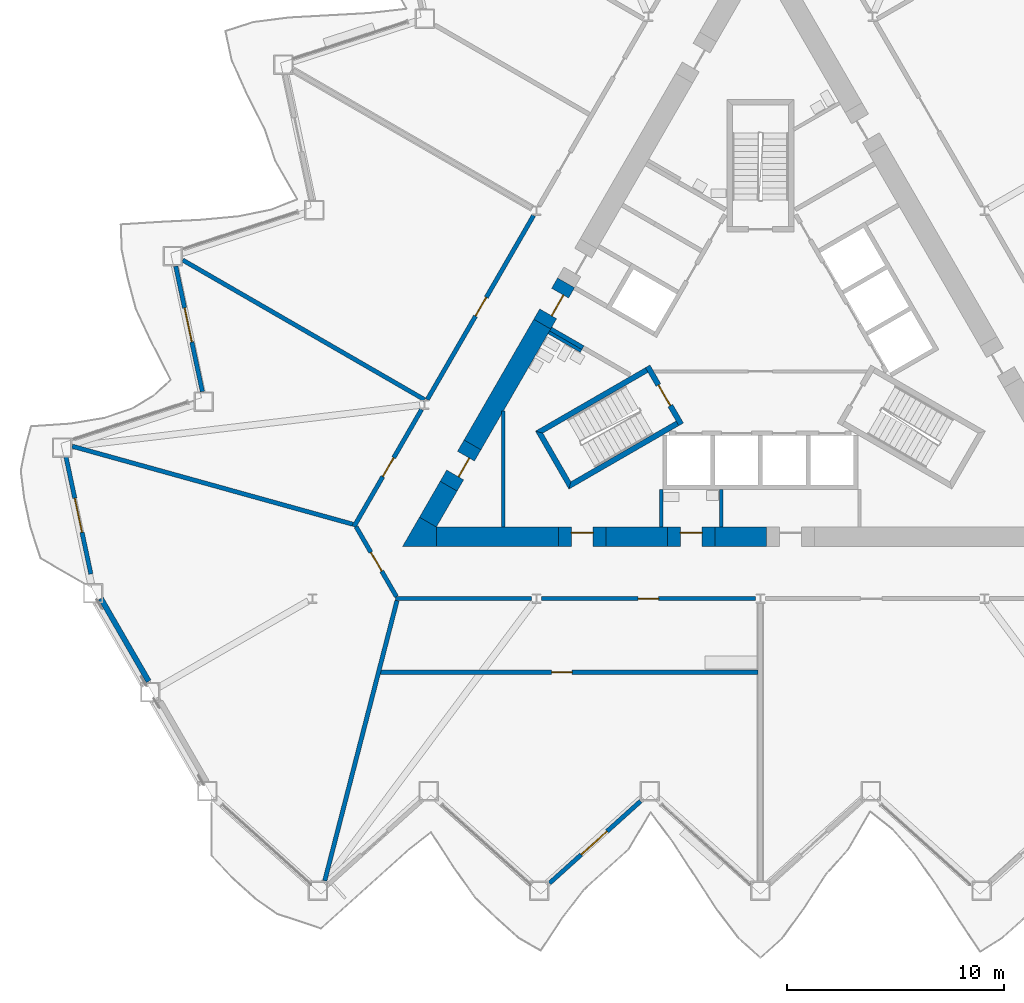
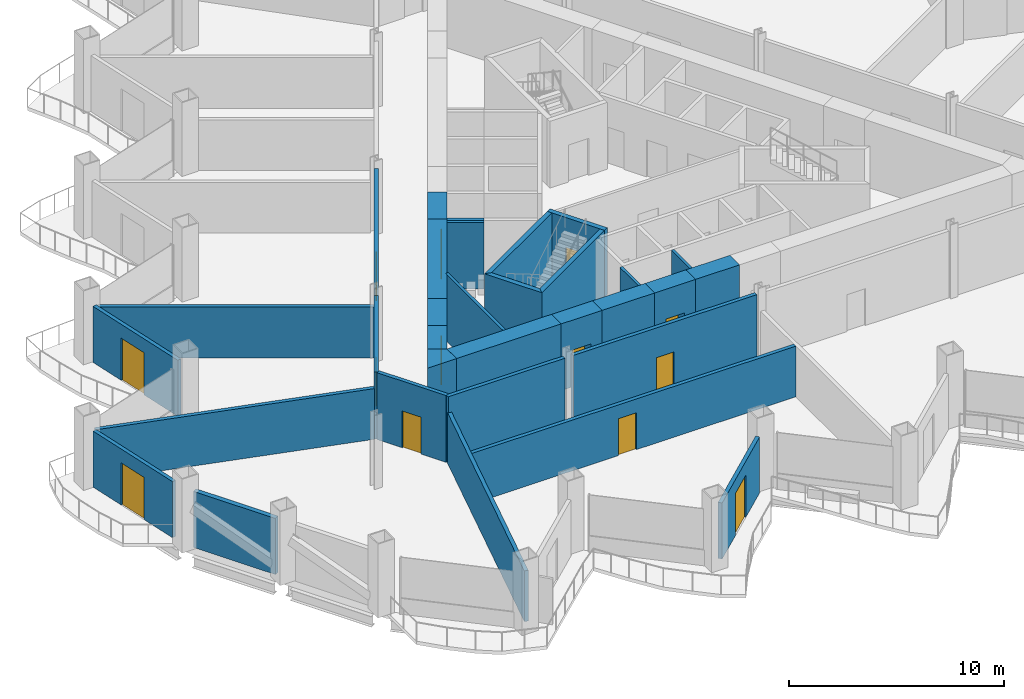
# One storey, part 10 of 21: 32 walls, 13 doors, 13 openings.
"""IFC4 building model written with IfcOpenShell, lengths in metres."""

from ifc_helpers import new_model, si_unit, direction, frame, frame_2d, origin, place, context, subcontext, project, spatial, polyline, rectangle, outline, extrude, material, layer, layer_set, type_object, element, fill, save


model = new_model("IFC4")

# Units and contexts
model_context = context("Model", 3, precision=1e-05, world=origin(), true_north=direction((0.0, 1.0)))
body_context = subcontext(model_context, "Body", "Model", "MODEL_VIEW")
ifc_project = project(units=[si_unit("LENGTHUNIT", "METRE"), si_unit("AREAUNIT", "SQUARE_METRE"), si_unit("VOLUMEUNIT", "CUBIC_METRE"), si_unit("PLANEANGLEUNIT", "RADIAN"), si_unit("MASSUNIT", "GRAM", prefix="KILO")], contexts=[model_context])

# Site, building, storey
site_placement = place(None, origin())
site = spatial("IfcSite", under=ifc_project, at=site_placement, CompositionType="ELEMENT")
building_placement = place(site_placement, origin())
building = spatial("IfcBuilding", under=site, at=building_placement, Name="Cormorant Prow Tower", CompositionType="ELEMENT")
storey_placement = place(building_placement, frame((0.0, 0.0, 141.60009765625)))
storey = spatial("IfcBuildingStorey", under=building, at=storey_placement, Name="L30", CompositionType="ELEMENT", Elevation=141.60009765625)

# Walls
ifc_material_1 = material(Name="Gypsum board partition")
ifc_layer_1 = layer(ifc_material_1, 0.14990234375)
ifc_layer_set_1 = layer_set([ifc_layer_1], Name="Gypsum board partition")
wall_type_1 = type_object("IfcWallType", Name="Core partition 150", PredefinedType="PARTITIONING", material=ifc_layer_set_1)
for number, where, z_axis, x_axis, name in (
    (1, (-8.268310546875, -0.509033203125, 0.0), (0.0, 0.0, 1.0), (-0.866024871741, 0.500000921525, 0.0), "Service room partition"),
    (2, (-4.574951171875, -6.906005859375, 0.0), (0.0, 0.0, 1.0), (0.0, -1.0, 0.0), "Service room partition"),
):
    element("IfcWall", number, at=place(storey_placement, frame(where, z_axis=z_axis, x_axis=x_axis)), inside=storey, type_object=wall_type_1, Name=name, PredefinedType="PARTITIONING", context=body_context, shape_type="SweptSolid", body=[
        extrude(rectangle(XDim=1.72021484375, YDim=0.14990234375, at=frame_2d((0.860107421875, 0.0))), origin(), (0.0, 0.0, 1.0), 3.7998046875),
    ])
wall_1_placement = place(storey_placement, frame((-11.853759765625, -8.626220703125, 0.0), z_axis=(0.0, 0.0, 1.0), x_axis=(0.0, 1.0, 0.0)))
element("IfcWall", 3, at=wall_1_placement, inside=storey, type_object=wall_type_1, Name="Service room partition", PredefinedType="PARTITIONING", context=body_context, shape_type="SweptSolid", body=[
    extrude(rectangle(XDim=5.347412109375, YDim=0.14990234375, at=frame_2d((2.673828125, 0.0))), origin(), (0.0, 0.0, 1.0), 3.7998046875),
])
wall_2_placement = place(storey_placement, frame((-1.800048828125, -8.626220703125, 0.0), z_axis=(0.0, 0.0, 1.0), x_axis=(0.0, 1.0, 0.0)))
element("IfcWall", 4, at=wall_2_placement, inside=storey, type_object=wall_type_1, Name="Service room partition", PredefinedType="PARTITIONING", context=body_context, shape_type="SweptSolid", body=[
    extrude(rectangle(XDim=1.72021484375, YDim=0.14990234375, at=frame_2d((0.860107421875, 0.0))), origin(), (0.0, 0.0, 1.0), 3.7998046875),
])
ifc_material_2 = material(Name="Concrete 8000 psi", Category="concrete")
ifc_layer_2 = layer(ifc_material_2, 0.89990234375)
ifc_layer_set_2 = layer_set([ifc_layer_2], Name="Concrete 8000 psi")
wall_type_2 = type_object("IfcWallType", Name="Core shear wall 900", PredefinedType="SHEAR", material=ifc_layer_set_2)
wall_3_placement = place(storey_placement, frame((-14.941162109375, -9.076416015625, 0.0), z_axis=(0.0, 0.0, 1.0), x_axis=(1.0, 0.0, 0.0)))
element("IfcWall", 5, at=wall_3_placement, inside=storey, type_object=wall_type_2, Name="Core wall", PredefinedType="SHEAR", context=body_context, shape_type="SweptSolid", body=[
    extrude(rectangle(XDim=5.626708984375, YDim=0.89990234375, at=frame_2d((2.8134765625, 0.0))), origin(), (0.0, 0.0, 1.0), 3.7998046875),
])
wall_4_placement = place(storey_placement, frame((-7.114501953125, -9.076416015625, 0.0), z_axis=(0.0, 0.0, 1.0), x_axis=(1.0, 0.0, 0.0)))
element("IfcWall", 6, at=wall_4_placement, inside=storey, type_object=wall_type_2, Name="Core wall", PredefinedType="SHEAR", context=body_context, shape_type="SweptSolid", body=[
    extrude(rectangle(XDim=2.826904296875, YDim=0.89990234375, at=frame_2d((1.41357421875, 0.0))), origin(), (0.0, 0.0, 1.0), 3.7998046875),
])
wall_5_placement = place(storey_placement, frame((-2.08740234375, -9.076416015625, 0.0), z_axis=(0.0, 0.0, 1.0), x_axis=(1.0, 0.0, 0.0)))
element("IfcWall", 7, at=wall_5_placement, inside=storey, type_object=wall_type_2, Name="Core wall", PredefinedType="SHEAR", context=body_context, shape_type="SweptSolid", body=[
    extrude(rectangle(XDim=2.375, YDim=0.89990234375, at=frame_2d((1.1875, 0.0))), origin(), (0.0, 0.0, 1.0), 3.7998046875),
])
wall_6_placement = place(storey_placement, frame((-10.060302734375, 0.7275390625, 0.0), z_axis=(0.0, 0.0, 1.0), x_axis=(-0.500002975332, -0.866023685969, 0.0)))
element("IfcWall", 8, at=wall_6_placement, inside=storey, type_object=wall_type_2, Name="Core wall", PredefinedType="SHEAR", context=body_context, shape_type="SweptSolid", body=[
    extrude(rectangle(XDim=6.4287109375, YDim=0.89990234375, at=frame_2d((3.21435546875, 0.0))), origin(), (0.0, 0.0, 1.0), 3.7998046875),
])
wall_7_placement = place(storey_placement, frame((-14.374755859375, -6.7451171875, 0.0), z_axis=(0.0, 0.0, 1.0), x_axis=(-0.499928740635, -0.866066541489, 0.0)))
element("IfcWall", 9, at=wall_7_placement, inside=storey, type_object=wall_type_2, Name="Core wall", PredefinedType="SHEAR", context=body_context, shape_type="SweptSolid", body=[
    extrude(rectangle(XDim=1.912353515625, YDim=0.89990234375, at=frame_2d((0.9560546875, 0.0))), origin(), (0.0, 0.0, 1.0), 3.7998046875),
])
wall_8_placement = place(storey_placement, origin())
element("IfcWall", 10, at=wall_8_placement, inside=storey, type_object=wall_type_2, Name="Core wall corner", PredefinedType="SHEAR", context=body_context, shape_type="SweptSolid", body=[
    extrude(outline(polyline([(-14.941162109375, -8.626220703125), (-14.941162109375, -9.5263671875), (-16.5, -9.5263671875), (-15.720703125, -8.17626953125), (-14.941162109375, -8.626220703125)])), origin(), (0.0, 0.0, 1.0), 3.7998046875),
])

# Wall, opening, door
wall_9_placement = place(storey_placement, frame((-4.28759765625, -9.076416015625, 0.0), z_axis=(0.0, 0.0, 1.0), x_axis=(1.0, 0.0, 0.0)))
wall_9 = element("IfcWall", 11, at=wall_9_placement, inside=storey, type_object=wall_type_2, Name="Core wall door panel", PredefinedType="SHEAR", context=body_context, shape_type="SweptSolid", body=[
    extrude(rectangle(XDim=2.2001953125, YDim=0.89990234375, at=frame_2d((1.10009765625, 0.0))), origin(), (0.0, 0.0, 1.0), 3.7998046875),
])
opening_1_placement = place(wall_9_placement, frame((0.60009765625, 0.0, 0.0)))
opening_1 = element("IfcOpeningElement", 12, at=opening_1_placement, cuts=wall_9, Name="Opening L30-C15", PredefinedType="OPENING", context=body_context, shape_type="SweptSolid", body=[
    extrude(rectangle(XDim=1.0, YDim=2.10009765625, at=frame_2d((0.5, 1.050048828125))), frame((0.0, 0.4599609375, 0.0), z_axis=(0.0, -1.0, 0.0), x_axis=(1.0, 0.0, 0.0)), (0.0, 0.0, 1.0), 0.919921875),
])
ifc_material_3 = material(Name="Painted steel", Category="steel")
door_type_1 = type_object("IfcDoorType", Name="Service door 1000x2100", OperationType="NOTDEFINED", PredefinedType="DOOR", material=ifc_material_3)
door_1_placement = place(opening_1_placement, origin())
door_1 = element("IfcDoor", 13, at=door_1_placement, inside=storey, type_object=door_type_1, Name="Core door, Accessible WC L30", OperationType="SINGLE_SWING_RIGHT", OverallHeight=2.10009765625, OverallWidth=1.0, PredefinedType="DOOR", context=body_context, shape_type="SweptSolid", body=[
    extrude(rectangle(XDim=1.0, YDim=2.10009765625, at=frame_2d((0.5, 1.050048828125))), frame((0.0, 0.205078125, 0.0), z_axis=(0.0, -1.0, 0.0), x_axis=(1.0, 0.0, 0.0)), (0.0, 0.0, 1.0), 0.050048828125),
])
fill(opening_1, door_1)

wall_10_placement = place(storey_placement, frame((-13.274658203125, -4.83984375, 0.0), z_axis=(0.0, 0.0, 1.0), x_axis=(-0.50002983664, -0.866008176907, 0.0)))
wall_10 = element("IfcWall", 14, at=wall_10_placement, inside=storey, type_object=wall_type_2, Name="Core wall door panel", PredefinedType="SHEAR", context=body_context, shape_type="SweptSolid", body=[
    extrude(rectangle(XDim=2.199951171875, YDim=0.89990234375, at=frame_2d((1.10009765625, 0.0))), origin(), (0.0, 0.0, 1.0), 3.7998046875),
])
opening_2_placement = place(wall_10_placement, frame((0.60009765625, 0.0, 0.0)))
opening_2 = element("IfcOpeningElement", 15, at=opening_2_placement, cuts=wall_10, Name="Opening L30-C17", PredefinedType="OPENING", context=body_context, shape_type="SweptSolid", body=[
    extrude(rectangle(XDim=1.0, YDim=2.10009765625, at=frame_2d((0.5, 1.050048828125))), frame((0.0, 0.4599609375, 0.0), z_axis=(0.0, -1.0, 0.0), x_axis=(1.0, 0.0, 0.0)), (0.0, 0.0, 1.0), 0.919921875),
])
door_2_placement = place(opening_2_placement, origin())
door_2 = element("IfcDoor", 16, at=door_2_placement, inside=storey, type_object=door_type_1, Name="Core door, Electrical room", OperationType="SINGLE_SWING_RIGHT", OverallHeight=2.10009765625, OverallWidth=1.0, PredefinedType="DOOR", context=body_context, shape_type="SweptSolid", body=[
    extrude(rectangle(XDim=1.0, YDim=2.10009765625, at=frame_2d((0.5, 1.050048828125))), frame((0.0, 0.205078125, 0.0), z_axis=(0.0, -1.0, 0.0), x_axis=(1.0, 0.0, 0.0)), (0.0, 0.0, 1.0), 0.050048828125),
])
fill(opening_2, door_2)

wall_11_placement = place(storey_placement, frame((-9.314453125, -9.076416015625, 0.0), z_axis=(0.0, 0.0, 1.0), x_axis=(1.0, 0.0, 0.0)))
wall_11 = element("IfcWall", 17, at=wall_11_placement, inside=storey, type_object=wall_type_2, Name="Core wall door panel", PredefinedType="SHEAR", context=body_context, shape_type="SweptSolid", body=[
    extrude(rectangle(XDim=2.199951171875, YDim=0.89990234375, at=frame_2d((1.10009765625, 0.0))), origin(), (0.0, 0.0, 1.0), 3.7998046875),
])
opening_3_placement = place(wall_11_placement, frame((0.60009765625, 0.0, 0.0)))
opening_3 = element("IfcOpeningElement", 18, at=opening_3_placement, cuts=wall_11, Name="Opening L30-C18", PredefinedType="OPENING", context=body_context, shape_type="SweptSolid", body=[
    extrude(rectangle(XDim=1.0, YDim=2.10009765625, at=frame_2d((0.5, 1.050048828125))), frame((0.0, 0.4599609375, 0.0), z_axis=(0.0, -1.0, 0.0), x_axis=(1.0, 0.0, 0.0)), (0.0, 0.0, 1.0), 0.919921875),
])
door_3_placement = place(opening_3_placement, origin())
door_3 = element("IfcDoor", 19, at=door_3_placement, inside=storey, type_object=door_type_1, Name="Core door, Toilets (women) L30", OperationType="SINGLE_SWING_LEFT", OverallHeight=2.10009765625, OverallWidth=1.0, PredefinedType="DOOR", context=body_context, shape_type="SweptSolid", body=[
    extrude(rectangle(XDim=1.0, YDim=2.10009765625, at=frame_2d((0.5, 1.050048828125))), frame((0.0, 0.205078125, 0.0), z_axis=(0.0, -1.0, 0.0), x_axis=(1.0, 0.0, 0.0)), (0.0, 0.0, 1.0), 0.050048828125),
])
fill(opening_3, door_3)

wall_12_placement = place(storey_placement, frame((-8.960205078125, 2.6328125, 0.0), z_axis=(0.0, 0.0, 1.0), x_axis=(-0.50002983664, -0.866008176907, 0.0)))
wall_12 = element("IfcWall", 20, at=wall_12_placement, inside=storey, type_object=wall_type_2, Name="Core wall door panel", PredefinedType="SHEAR", context=body_context, shape_type="SweptSolid", body=[
    extrude(rectangle(XDim=2.199951171875, YDim=0.89990234375, at=frame_2d((1.10009765625, 0.0))), origin(), (0.0, 0.0, 1.0), 3.7998046875),
])
opening_4_placement = place(wall_12_placement, frame((0.550048828125, 0.0, 0.0)))
opening_4 = element("IfcOpeningElement", 21, at=opening_4_placement, cuts=wall_12, Name="Opening L30-C23", PredefinedType="OPENING", context=body_context, shape_type="SweptSolid", body=[
    extrude(rectangle(XDim=1.10009765625, YDim=2.10009765625, at=frame_2d((0.550048828125, 1.050048828125))), frame((0.0, 0.4599609375, 0.0), z_axis=(0.0, -1.0, 0.0), x_axis=(1.0, 0.0, 0.0)), (0.0, 0.0, 1.0), 0.919921875),
])
ifc_material_4 = material(Name="Painted steel", Category="steel")
door_type_2 = type_object("IfcDoorType", Name="Core door 1100x2100", OperationType="NOTDEFINED", PredefinedType="DOOR", material=ifc_material_4)
door_4_placement = place(opening_4_placement, origin())
door_4 = element("IfcDoor", 22, at=door_4_placement, inside=storey, type_object=door_type_2, Name="Core door, lift lobby", OperationType="SINGLE_SWING_RIGHT", OverallHeight=2.10009765625, OverallWidth=1.10009765625, PredefinedType="DOOR", context=body_context, shape_type="SweptSolid", body=[
    extrude(rectangle(XDim=1.10009765625, YDim=2.10009765625, at=frame_2d((0.550048828125, 1.050048828125))), frame((0.0, 0.205078125, 0.0), z_axis=(0.0, -1.0, 0.0), x_axis=(1.0, 0.0, 0.0)), (0.0, 0.0, 1.0), 0.050048828125),
])
fill(opening_4, door_4)

ifc_material_5 = material(Name="Gypsum board corridor wall")
ifc_layer_3 = layer(ifc_material_5, 0.199951171875)
ifc_layer_set_3 = layer_set([ifc_layer_3], Name="Gypsum board corridor wall")
wall_type_3 = type_object("IfcWallType", Name="Corridor wall 200", PredefinedType="PARTITIONING", material=ifc_layer_set_3)
wall_13_placement = place(storey_placement, frame((-10.10107421875, -11.92626953125, 0.0), z_axis=(0.0, 0.0, 1.0), x_axis=(1.0, 0.0, 0.0)))
wall_13 = element("IfcWall", 23, at=wall_13_placement, inside=storey, type_object=wall_type_3, Name="Corridor wall", PredefinedType="PARTITIONING", context=body_context, shape_type="SweptSolid", body=[
    extrude(rectangle(XDim=9.873779296875, YDim=0.199951171875, at=frame_2d((4.93701171875, 0.0))), origin(), (0.0, 0.0, 1.0), 3.7998046875),
])
opening_5_placement = place(wall_13_placement, frame((4.4619140625, 0.0, 0.0)))
opening_5 = element("IfcOpeningElement", 24, at=opening_5_placement, cuts=wall_13, Name="Opening L30-F01", PredefinedType="OPENING", context=body_context, shape_type="SweptSolid", body=[
    extrude(rectangle(XDim=0.949951171875, YDim=2.10009765625, at=frame_2d((0.47509765625, 1.050048828125))), frame((0.0, 0.10986328125, 0.0), z_axis=(0.0, -1.0, 0.0), x_axis=(1.0, 0.0, 0.0)), (0.0, 0.0, 1.0), 0.219970703125),
])
ifc_material_6 = material(Name="Timber door leaf", Category="wood")
door_type_3 = type_object("IfcDoorType", Name="Store door 950x2100", OperationType="NOTDEFINED", PredefinedType="DOOR", material=ifc_material_6)
door_5_placement = place(opening_5_placement, origin())
door_5 = element("IfcDoor", 25, at=door_5_placement, inside=storey, type_object=door_type_3, Name="Tea point and pantry door", OperationType="SINGLE_SWING_RIGHT", OverallHeight=2.10009765625, OverallWidth=0.949951171875, PredefinedType="DOOR", context=body_context, shape_type="SweptSolid", body=[
    extrude(rectangle(XDim=0.949951171875, YDim=2.10009765625, at=frame_2d((0.47509765625, 1.050048828125))), frame((0.0, 0.02490234375, 0.0), z_axis=(0.0, -1.0, 0.0), x_axis=(1.0, 0.0, 0.0)), (0.0, 0.0, 1.0), 0.050048828125),
])
fill(opening_5, door_5)

wall_14_placement = place(storey_placement, frame((-15.361328125, -2.754150390625, 0.0), z_axis=(0.0, 0.0, 1.0), x_axis=(0.500004141693, 0.866023012564, 0.0)))
wall_14 = element("IfcWall", 26, at=wall_14_placement, inside=storey, type_object=wall_type_3, Name="Corridor wall", PredefinedType="PARTITIONING", context=body_context, shape_type="SweptSolid", body=[
    extrude(rectangle(XDim=9.80322265625, YDim=0.199951171875, at=frame_2d((4.901611328125, 0.0))), origin(), (0.0, 0.0, 1.0), 3.7998046875),
])
opening_6_placement = place(wall_14_placement, frame((4.45166015625, 0.0, 0.0)))
opening_6 = element("IfcOpeningElement", 27, at=opening_6_placement, cuts=wall_14, Name="Opening L30-F13", PredefinedType="OPENING", context=body_context, shape_type="SweptSolid", body=[
    extrude(rectangle(XDim=1.0, YDim=2.10009765625, at=frame_2d((0.5, 1.050048828125))), frame((0.0, 0.10986328125, 0.0), z_axis=(0.0, -1.0, 0.0), x_axis=(1.0, 0.0, 0.0)), (0.0, 0.0, 1.0), 0.219970703125),
])
ifc_material_7 = material(Name="Timber door leaf", Category="wood")
door_type_4 = type_object("IfcDoorType", Name="Office door 1000x2100", OperationType="NOTDEFINED", PredefinedType="DOOR", material=ifc_material_7)
door_6_placement = place(opening_6_placement, origin())
door_6 = element("IfcDoor", 28, at=door_6_placement, inside=storey, type_object=door_type_4, Name="Open-plan office door", OperationType="SINGLE_SWING_RIGHT", OverallHeight=2.10009765625, OverallWidth=1.0, PredefinedType="DOOR", context=body_context, shape_type="SweptSolid", body=[
    extrude(rectangle(XDim=1.0, YDim=2.10009765625, at=frame_2d((0.5, 1.050048828125))), frame((0.0, 0.02490234375, 0.0), z_axis=(0.0, -1.0, 0.0), x_axis=(1.0, 0.0, 0.0)), (0.0, 0.0, 1.0), 0.050048828125),
])
fill(opening_6, door_6)

# Wall
wall_15_placement = place(storey_placement, frame((-16.830810546875, -11.92626953125, 0.0), z_axis=(0.0, 0.0, 1.0), x_axis=(1.0, 0.0, 0.0)))
element("IfcWall", 29, at=wall_15_placement, inside=storey, type_object=wall_type_3, Name="Corridor wall", PredefinedType="PARTITIONING", context=body_context, shape_type="SweptSolid", body=[
    extrude(rectangle(XDim=6.27490234375, YDim=0.199951171875, at=frame_2d((3.137451171875, 0.0))), origin(), (0.0, 0.0, 1.0), 3.7998046875),
])

# Wall, opening, door
wall_16_placement = place(storey_placement, frame((-18.743896484375, -8.61279296875, 0.0), z_axis=(0.0, 0.0, 1.0), x_axis=(0.499997920671, 0.866026604282, 0.0)))
wall_16 = element("IfcWall", 30, at=wall_16_placement, inside=storey, type_object=wall_type_3, Name="Corridor wall", PredefinedType="PARTITIONING", context=body_context, shape_type="SweptSolid", body=[
    extrude(rectangle(XDim=6.23974609375, YDim=0.199951171875, at=frame_2d((3.119873046875, 0.0))), origin(), (0.0, 0.0, 1.0), 3.7998046875),
])
opening_7_placement = place(wall_16_placement, frame((2.67041015625, 0.0, 0.0)))
opening_7 = element("IfcOpeningElement", 31, at=opening_7_placement, cuts=wall_16, Name="Opening L30-F14", PredefinedType="OPENING", context=body_context, shape_type="SweptSolid", body=[
    extrude(rectangle(XDim=1.0, YDim=2.10009765625, at=frame_2d((0.5, 1.050048828125))), frame((0.0, 0.10986328125, 0.0), z_axis=(0.0, -1.0, 0.0), x_axis=(1.0, 0.0, 0.0)), (0.0, 0.0, 1.0), 0.219970703125),
])
door_7_placement = place(opening_7_placement, origin())
door_7 = element("IfcDoor", 32, at=door_7_placement, inside=storey, type_object=door_type_4, Name="Tenant suite door", OperationType="SINGLE_SWING_LEFT", OverallHeight=2.10009765625, OverallWidth=1.0, PredefinedType="DOOR", context=body_context, shape_type="SweptSolid", body=[
    extrude(rectangle(XDim=1.0, YDim=2.10009765625, at=frame_2d((0.5, 1.050048828125))), frame((0.0, 0.02490234375, 0.0), z_axis=(0.0, -1.0, 0.0), x_axis=(1.0, 0.0, 0.0)), (0.0, 0.0, 1.0), 0.050048828125),
])
fill(opening_7, door_7)

wall_17_placement = place(storey_placement, frame((-18.643798828125, -8.61279296875, 0.0), z_axis=(0.0, 0.0, 1.0), x_axis=(0.499958791762, -0.866049194065, 0.0)))
wall_17 = element("IfcWall", 33, at=wall_17_placement, inside=storey, type_object=wall_type_3, Name="Corridor wall", PredefinedType="PARTITIONING", context=body_context, shape_type="SweptSolid", body=[
    extrude(rectangle(XDim=3.725830078125, YDim=0.199951171875, at=frame_2d((1.86279296875, 0.0))), origin(), (0.0, 0.0, 1.0), 3.7998046875),
])
opening_8_placement = place(wall_17_placement, frame((1.363037109375, 0.0, 0.0)))
opening_8 = element("IfcOpeningElement", 34, at=opening_8_placement, cuts=wall_17, Name="Opening L30-F15", PredefinedType="OPENING", context=body_context, shape_type="SweptSolid", body=[
    extrude(rectangle(XDim=1.0, YDim=2.10009765625, at=frame_2d((0.5, 1.050048828125))), frame((0.0, 0.10986328125, 0.0), z_axis=(0.0, -1.0, 0.0), x_axis=(1.0, 0.0, 0.0)), (0.0, 0.0, 1.0), 0.219970703125),
])
door_8_placement = place(opening_8_placement, origin())
door_8 = element("IfcDoor", 35, at=door_8_placement, inside=storey, type_object=door_type_4, Name="Tenant suite door", OperationType="SINGLE_SWING_LEFT", OverallHeight=2.10009765625, OverallWidth=1.0, PredefinedType="DOOR", context=body_context, shape_type="SweptSolid", body=[
    extrude(rectangle(XDim=1.0, YDim=2.10009765625, at=frame_2d((0.5, 1.050048828125))), frame((0.0, 0.02490234375, 0.0), z_axis=(0.0, -1.0, 0.0), x_axis=(1.0, 0.0, 0.0)), (0.0, 0.0, 1.0), 0.050048828125),
])
fill(opening_8, door_8)

ifc_material_8 = material(Name="Gypsum board demising wall")
ifc_layer_4 = layer(ifc_material_8, 0.199951171875)
ifc_layer_set_4 = layer_set([ifc_layer_4], Name="Gypsum board demising wall")
wall_type_4 = type_object("IfcWallType", Name="Demising wall 200", PredefinedType="PARTITIONING", material=ifc_layer_set_4)
wall_18_placement = place(storey_placement, frame((-17.508056640625, -15.326416015625, 0.0), z_axis=(0.0, 0.0, 1.0), x_axis=(1.0, 0.0, 0.0)))
wall_18 = element("IfcWall", 36, at=wall_18_placement, inside=storey, type_object=wall_type_4, Name="Demising wall", PredefinedType="PARTITIONING", context=body_context, shape_type="SweptSolid", body=[
    extrude(rectangle(XDim=17.407958984375, YDim=0.199951171875, at=frame_2d((8.7041015625, 0.0))), origin(), (0.0, 0.0, 1.0), 2.88525390625),
])
opening_9_placement = place(wall_18_placement, frame((7.877685546875, 0.0, 0.0)))
opening_9 = element("IfcOpeningElement", 37, at=opening_9_placement, cuts=wall_18, Name="Opening L30-F02", PredefinedType="OPENING", context=body_context, shape_type="SweptSolid", body=[
    extrude(rectangle(XDim=0.949951171875, YDim=2.10009765625, at=frame_2d((0.47509765625, 1.050048828125))), frame((0.0, 0.10986328125, 0.0), z_axis=(0.0, -1.0, 0.0), x_axis=(1.0, 0.0, 0.0)), (0.0, 0.0, 1.0), 0.219970703125),
])
door_9_placement = place(opening_9_placement, origin())
door_9 = element("IfcDoor", 38, at=door_9_placement, inside=storey, type_object=door_type_3, Name="Print and copy room door", OperationType="SINGLE_SWING_RIGHT", OverallHeight=2.10009765625, OverallWidth=0.949951171875, PredefinedType="DOOR", context=body_context, shape_type="SweptSolid", body=[
    extrude(rectangle(XDim=0.949951171875, YDim=2.10009765625, at=frame_2d((0.47509765625, 1.050048828125))), frame((0.0, 0.02490234375, 0.0), z_axis=(0.0, -1.0, 0.0), x_axis=(1.0, 0.0, 0.0)), (0.0, 0.0, 1.0), 0.050048828125),
])
fill(opening_9, door_9)

# Walls
wall_19_placement = place(storey_placement, frame((-31.736083984375, -4.90087890625, 0.0), z_axis=(0.0, 0.0, 1.0), x_axis=(0.963468434011, -0.267821912219, 0.0)))
element("IfcWall", 39, at=wall_19_placement, inside=storey, type_object=wall_type_4, Name="Demising wall", PredefinedType="PARTITIONING", context=body_context, shape_type="SweptSolid", body=[
    extrude(rectangle(XDim=13.436767578125, YDim=0.199951171875, at=frame_2d((6.71826171875, 0.0))), origin(), (0.0, 0.0, 1.0), 2.88525390625),
])
wall_20_placement = place(storey_placement, frame((-20.088134765625, -24.939208984375, 0.0), z_axis=(0.0, 0.0, 1.0), x_axis=(0.249815467428, 0.968293463901, 0.0)))
element("IfcWall", 40, at=wall_20_placement, inside=storey, type_object=wall_type_4, Name="Demising wall", PredefinedType="PARTITIONING", context=body_context, shape_type="SweptSolid", body=[
    extrude(rectangle(XDim=13.3388671875, YDim=0.199951171875, at=frame_2d((6.66943359375, 0.0))), origin(), (0.0, 0.0, 1.0), 2.88525390625),
])
wall_21_placement = place(storey_placement, frame((-26.63623046875, 3.682373046875, 0.0), z_axis=(0.0, 0.0, 1.0), x_axis=(0.866026411352, -0.499998254837, 0.0)))
element("IfcWall", 41, at=wall_21_placement, inside=storey, type_object=wall_type_4, Name="Demising wall", PredefinedType="PARTITIONING", context=body_context, shape_type="SweptSolid", body=[
    extrude(rectangle(XDim=12.873046875, YDim=0.199951171875, at=frame_2d((6.4365234375, 0.0))), origin(), (0.0, 0.0, 1.0), 2.88525390625),
])
ifc_material_9 = material(Name="Concrete 8000 psi", Category="concrete")
ifc_layer_5 = layer(ifc_material_9, 0.199951171875)
ifc_layer_set_5 = layer_set([ifc_layer_5], Name="Concrete 8000 psi")
wall_type_5 = type_object("IfcWallType", Name="Lift shaft wall 200", PredefinedType="SHEAR", material=ifc_layer_set_5)
wall_22_placement = place(storey_placement, frame((-8.180908203125, -0.357421875, 0.0), z_axis=(0.0, 0.0, 1.0), x_axis=(-0.866024871741, 0.500000921525, 0.0)))
element("IfcWall", 42, at=wall_22_placement, inside=storey, type_object=wall_type_5, Name="Lobby passage wall", PredefinedType="SHEAR", context=body_context, shape_type="SweptSolid", body=[
    extrude(rectangle(XDim=1.72021484375, YDim=0.199951171875, at=frame_2d((0.860107421875, 0.0))), origin(), (0.0, 0.0, 1.0), 3.7998046875),
])
ifc_material_10 = material(Name="Concrete 8000 psi", Category="concrete")
ifc_layer_6 = layer(ifc_material_10, 0.25)
ifc_layer_set_6 = layer_set([ifc_layer_6], Name="Concrete 8000 psi")
wall_type_6 = type_object("IfcWallType", Name="Stair wall 250", PredefinedType="SHEAR", material=ifc_layer_set_6)
wall_23_placement = place(storey_placement, origin())
element("IfcWall", 43, at=wall_23_placement, inside=storey, type_object=wall_type_6, Name="Stair ST1 enclosure wall (flank)", PredefinedType="SHEAR", context=body_context, shape_type="SweptSolid", body=[
    extrude(outline(polyline([(-5.30712890625, -1.28125), (-10.37353515625, -4.206298828125), (-10.031982421875, -4.2978515625), (-5.18212890625, -1.497802734375), (-5.30712890625, -1.28125)])), origin(), (0.0, 0.0, 1.0), 3.7998046875),
])
wall_24_placement = place(storey_placement, origin())
element("IfcWall", 44, at=wall_24_placement, inside=storey, type_object=wall_type_6, Name="Stair ST1 enclosure wall (end)", PredefinedType="SHEAR", context=body_context, shape_type="SweptSolid", body=[
    extrude(outline(polyline([(-10.37353515625, -4.206298828125), (-8.82958984375, -6.880615234375), (-8.738037109375, -6.5390625), (-10.031982421875, -4.2978515625), (-10.37353515625, -4.206298828125)])), origin(), (0.0, 0.0, 1.0), 3.7998046875),
])
wall_25_placement = place(storey_placement, origin())
element("IfcWall", 45, at=wall_25_placement, inside=storey, type_object=wall_type_6, Name="Stair ST1 enclosure wall (flank)", PredefinedType="SHEAR", context=body_context, shape_type="SweptSolid", body=[
    extrude(outline(polyline([(-8.738037109375, -6.5390625), (-8.82958984375, -6.880615234375), (-3.76318359375, -3.95556640625), (-3.88818359375, -3.739013671875), (-8.738037109375, -6.5390625)])), origin(), (0.0, 0.0, 1.0), 3.7998046875),
])

# Wall, opening, door
wall_26_placement = place(storey_placement, frame((-5.198974609375, -1.21875, 0.0), z_axis=(0.0, 0.0, 1.0), x_axis=(0.499982516597, -0.866035497597, 0.0)))
wall_26 = element("IfcWall", 46, at=wall_26_placement, inside=storey, type_object=wall_type_6, Name="Stair ST1 door wall", PredefinedType="SHEAR", context=body_context, shape_type="SweptSolid", body=[
    extrude(rectangle(XDim=3.087890625, YDim=0.25, at=frame_2d((1.5439453125, 0.0))), origin(), (0.0, 0.0, 1.0), 3.7998046875),
])
opening_10_placement = place(wall_26_placement, frame((0.993896484375, 0.0, 0.0)))
opening_10 = element("IfcOpeningElement", 47, at=opening_10_placement, cuts=wall_26, Name="Opening L30-C12", PredefinedType="OPENING", context=body_context, shape_type="SweptSolid", body=[
    extrude(rectangle(XDim=1.10009765625, YDim=2.10009765625, at=frame_2d((0.550048828125, 1.050048828125))), frame((0.0, 0.135009765625, 0.0), z_axis=(0.0, -1.0, 0.0), x_axis=(1.0, 0.0, 0.0)), (0.0, 0.0, 1.0), 0.27001953125),
])
ifc_material_11 = material(Name="Painted steel", Category="steel")
door_type_5 = type_object("IfcDoorType", Name="Stair door 1100x2100", OperationType="NOTDEFINED", PredefinedType="DOOR", material=ifc_material_11)
door_10_placement = place(opening_10_placement, origin())
door_10 = element("IfcDoor", 48, at=door_10_placement, inside=storey, type_object=door_type_5, Name="Stair ST1 door", OperationType="SINGLE_SWING_LEFT", OverallHeight=2.10009765625, OverallWidth=1.10009765625, PredefinedType="DOOR", context=body_context, shape_type="SweptSolid", body=[
    extrude(rectangle(XDim=1.10009765625, YDim=2.10009765625, at=frame_2d((0.550048828125, 1.050048828125))), frame((0.0, 0.02490234375, 0.0), z_axis=(0.0, -1.0, 0.0), x_axis=(1.0, 0.0, 0.0)), (0.0, 0.0, 1.0), 0.050048828125),
])
fill(opening_10, door_10)

# Wall
ifc_material_12 = material(Name="Terracotta", Category="masonry")
ifc_layer_7 = layer(ifc_material_12, 0.25)
ifc_layer_set_7 = layer_set([ifc_layer_7], Name="Terracotta")
wall_type_7 = type_object("IfcWallType", Name="Terracotta bay wall 250", PredefinedType="SOLIDWALL", material=ifc_layer_set_7)
wall_27_placement = place(storey_placement, frame((-30.4111328125, -11.92431640625, 0.0), z_axis=(0.0, 0.0, 1.0), x_axis=(0.499979643272, -0.866037156428, 0.0)))
element("IfcWall", 49, at=wall_27_placement, inside=storey, type_object=wall_type_7, Name="Terracotta bay wall WSW00", PredefinedType="SOLIDWALL", context=body_context, shape_type="SweptSolid", body=[
    extrude(rectangle(XDim=4.409912109375, YDim=0.25, at=frame_2d((2.205078125, 0.0))), origin(), (0.0, 0.0, 1.0), 3.188720703125),
])

# Wall, opening, door
ifc_material_13 = material(Name="Terracotta", Category="masonry")
ifc_layer_8 = layer(ifc_material_13, 0.199951171875)
ifc_layer_set_8 = layer_set([ifc_layer_8], Name="Terracotta")
wall_type_8 = type_object("IfcWallType", Name="Terracotta jamb wall 200", PredefinedType="SOLIDWALL", material=ifc_layer_set_8)
wall_28_placement = place(storey_placement, frame((-9.723388671875, -25.04833984375, 0.0), z_axis=(0.0, 0.0, 1.0), x_axis=(0.743135184962, 0.669141313081, 0.0)))
wall_28 = element("IfcWall", 50, at=wall_28_placement, inside=storey, type_object=wall_type_8, Name="Terracotta jamb wall S03", PredefinedType="SOLIDWALL", context=body_context, shape_type="SweptSolid", body=[
    extrude(rectangle(XDim=5.652099609375, YDim=0.199951171875, at=frame_2d((2.826171875, 0.0))), origin(), (0.0, 0.0, 1.0), 3.188720703125),
])
opening_11_placement = place(wall_28_placement, frame((1.971435546875, 0.0, 0.0)))
opening_11 = element("IfcOpeningElement", 51, at=opening_11_placement, cuts=wall_28, Name="Opening ED30.02", PredefinedType="OPENING", context=body_context, shape_type="SweptSolid", body=[
    extrude(rectangle(XDim=1.60009765625, YDim=2.39990234375, at=frame_2d((0.800048828125, 1.199951171875))), frame((0.0, 0.10986328125, 0.0), z_axis=(0.0, -1.0, 0.0), x_axis=(1.0, 0.0, 0.0)), (0.0, 0.0, 1.0), 0.219970703125),
])
ifc_material_14 = material(Name="Aluminium 6063-T6", Category="aluminium")
door_type_6 = type_object("IfcDoorType", Name="Balcony door 1600x2400", OperationType="DOUBLE_DOOR_SINGLE_SWING", PredefinedType="DOOR", material=ifc_material_14)
door_11_placement = place(opening_11_placement, origin())
door_11 = element("IfcDoor", 52, at=door_11_placement, inside=storey, type_object=door_type_6, Name="Balcony door S03 ED30.02", OperationType="DOUBLE_DOOR_SINGLE_SWING", OverallHeight=2.39990234375, OverallWidth=1.60009765625, PredefinedType="DOOR", context=body_context, shape_type="SweptSolid", body=[
    extrude(rectangle(XDim=1.60009765625, YDim=2.39990234375, at=frame_2d((0.800048828125, 1.199951171875))), frame((0.0, 0.02490234375, 0.0), z_axis=(0.0, -1.0, 0.0), x_axis=(1.0, 0.0, 0.0)), (0.0, 0.0, 1.0), 0.050048828125),
])
fill(opening_11, door_11)

wall_29_placement = place(storey_placement, frame((-26.959716796875, 3.400634765625, 0.0), z_axis=(0.0, 0.0, 1.0), x_axis=(0.207883954519, -0.978153495855, 0.0)))
wall_29 = element("IfcWall", 53, at=wall_29_placement, inside=storey, type_object=wall_type_8, Name="Terracotta jamb wall WNW07", PredefinedType="SOLIDWALL", context=body_context, shape_type="SweptSolid", body=[
    extrude(rectangle(XDim=5.90966796875, YDim=0.199951171875, at=frame_2d((2.954833984375, 0.0))), origin(), (0.0, 0.0, 1.0), 3.188720703125),
])
opening_12_placement = place(wall_29_placement, frame((1.971435546875, 0.0, 0.0)))
opening_12 = element("IfcOpeningElement", 54, at=opening_12_placement, cuts=wall_29, Name="Opening ED30.14", PredefinedType="OPENING", context=body_context, shape_type="SweptSolid", body=[
    extrude(rectangle(XDim=1.60009765625, YDim=2.39990234375, at=frame_2d((0.800048828125, 1.199951171875))), frame((0.0, 0.10986328125, 0.0), z_axis=(0.0, -1.0, 0.0), x_axis=(1.0, 0.0, 0.0)), (0.0, 0.0, 1.0), 0.219970703125),
])
door_12_placement = place(opening_12_placement, origin())
door_12 = element("IfcDoor", 55, at=door_12_placement, inside=storey, type_object=door_type_6, Name="Balcony door WNW07 ED30.14", OperationType="DOUBLE_DOOR_SINGLE_SWING", OverallHeight=2.39990234375, OverallWidth=1.60009765625, PredefinedType="DOOR", context=body_context, shape_type="SweptSolid", body=[
    extrude(rectangle(XDim=1.60009765625, YDim=2.39990234375, at=frame_2d((0.800048828125, 1.199951171875))), frame((0.0, 0.02490234375, 0.0), z_axis=(0.0, -1.0, 0.0), x_axis=(1.0, 0.0, 0.0)), (0.0, 0.0, 1.0), 0.050048828125),
])
fill(opening_12, door_12)

wall_30_placement = place(storey_placement, frame((-32.0244140625, -5.371337890625, 0.0), z_axis=(0.0, 0.0, 1.0), x_axis=(0.207934610169, -0.978142728795, 0.0)))
wall_30 = element("IfcWall", 56, at=wall_30_placement, inside=storey, type_object=wall_type_8, Name="Terracotta jamb wall WNW09", PredefinedType="SOLIDWALL", context=body_context, shape_type="SweptSolid", body=[
    extrude(rectangle(XDim=5.54296875, YDim=0.199951171875, at=frame_2d((2.771484375, 0.0))), origin(), (0.0, 0.0, 1.0), 3.188720703125),
])
opening_13_placement = place(wall_30_placement, frame((1.971435546875, 0.0, 0.0)))
opening_13 = element("IfcOpeningElement", 57, at=opening_13_placement, cuts=wall_30, Name="Opening ED30.15", PredefinedType="OPENING", context=body_context, shape_type="SweptSolid", body=[
    extrude(rectangle(XDim=1.60009765625, YDim=2.39990234375, at=frame_2d((0.800048828125, 1.199951171875))), frame((0.0, 0.10986328125, 0.0), z_axis=(0.0, -1.0, 0.0), x_axis=(1.0, 0.0, 0.0)), (0.0, 0.0, 1.0), 0.219970703125),
])
door_13_placement = place(opening_13_placement, origin())
door_13 = element("IfcDoor", 58, at=door_13_placement, inside=storey, type_object=door_type_6, Name="Balcony door WNW09 ED30.15", OperationType="DOUBLE_DOOR_SINGLE_SWING", OverallHeight=2.39990234375, OverallWidth=1.60009765625, PredefinedType="DOOR", context=body_context, shape_type="SweptSolid", body=[
    extrude(rectangle(XDim=1.60009765625, YDim=2.39990234375, at=frame_2d((0.800048828125, 1.199951171875))), frame((0.0, 0.02490234375, 0.0), z_axis=(0.0, -1.0, 0.0), x_axis=(1.0, 0.0, 0.0)), (0.0, 0.0, 1.0), 0.050048828125),
])
fill(opening_13, door_13)

save(model, "model.ifc")
